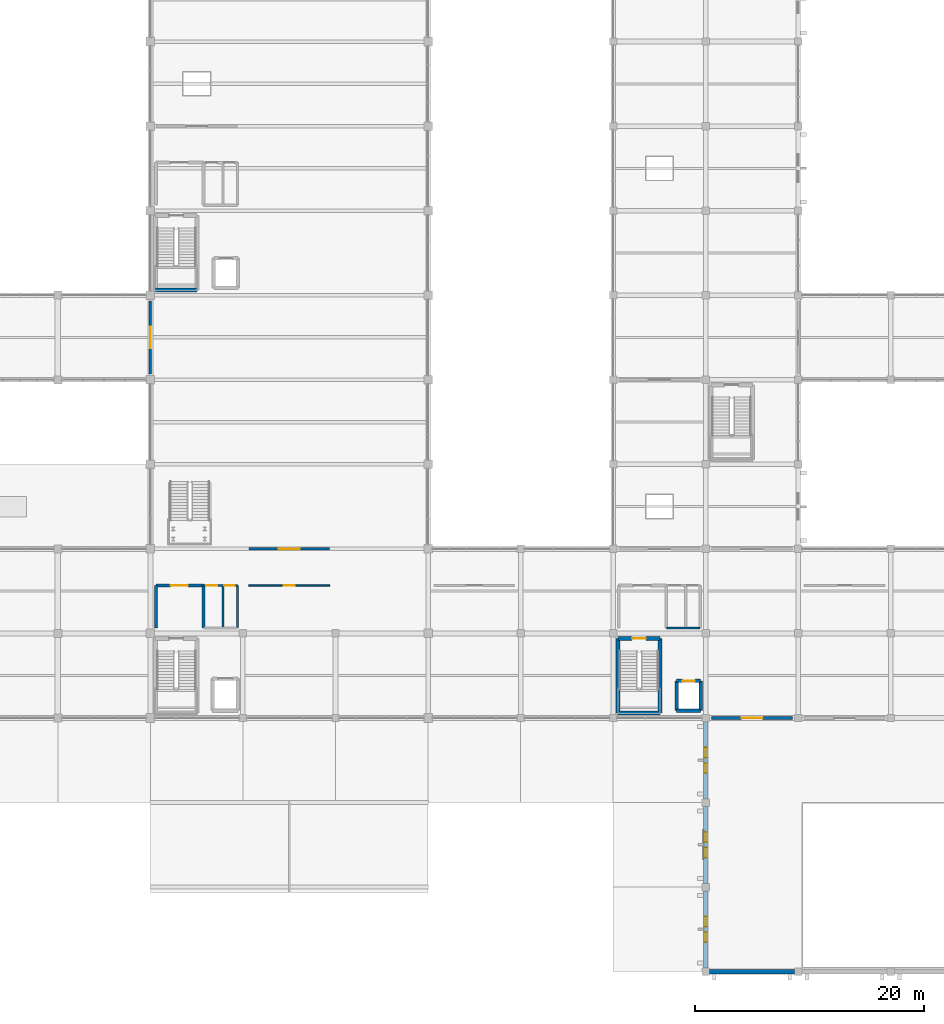
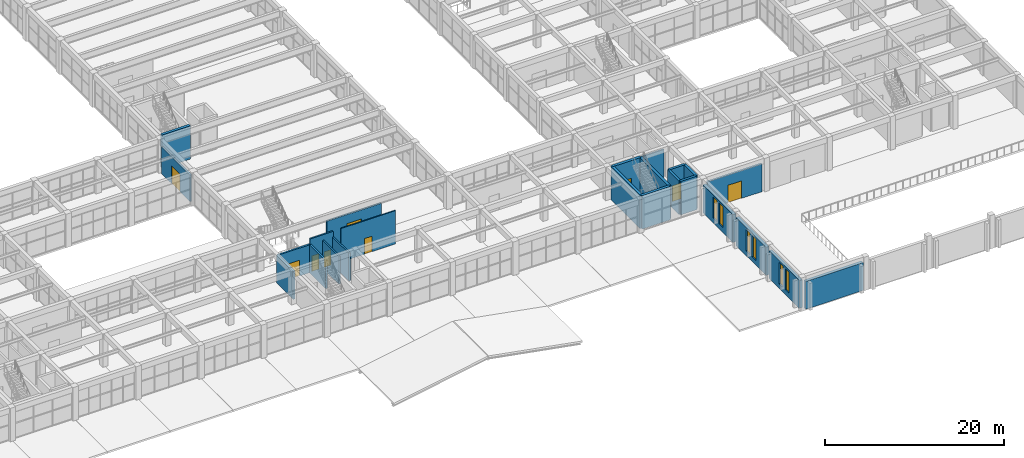
# One storey, part 147 of 161: 24 walls, 9 doors, 6 windows, 15 openings.
"""IFC4 building model written with IfcOpenShell, lengths in metres."""

from ifc_helpers import new_model, si_unit, direction, frame, frame_2d, origin, place, context, subcontext, project, spatial, rectangle, extrude, material, layer, layer_set, type_object, element, fill, save


model = new_model("IFC4")

# Units and contexts
model_context = context("Model", 3, precision=1e-05, world=origin(), true_north=direction((0.0, 1.0)))
body_context = subcontext(model_context, "Body", "Model", "MODEL_VIEW")
ifc_project = project(units=[si_unit("LENGTHUNIT", "METRE"), si_unit("AREAUNIT", "SQUARE_METRE"), si_unit("VOLUMEUNIT", "CUBIC_METRE"), si_unit("PLANEANGLEUNIT", "RADIAN"), si_unit("MASSUNIT", "GRAM", prefix="KILO")], contexts=[model_context])

# Site, building, storey
site_placement = place(None, origin())
site = spatial("IfcSite", under=ifc_project, at=site_placement, CompositionType="ELEMENT")
building_placement = place(site_placement, origin())
building = spatial("IfcBuilding", under=site, at=building_placement, Name="Cimatlan Art Gallery", CompositionType="ELEMENT")
storey_placement = place(building_placement, frame((0.0, 0.0, 5.39990234375)))
storey = spatial("IfcBuildingStorey", under=building, at=storey_placement, Name="L01", CompositionType="ELEMENT", Elevation=5.39990234375)

# Walls
ifc_material_1 = material(Name="Concrete C40/50", Category="concrete")
ifc_layer_1 = layer(ifc_material_1, 0.31005859375)
ifc_layer_set_1 = layer_set([ifc_layer_1], Name="Concrete C40/50")
wall_type_1 = type_object("IfcWallType", Name="W-CORE-310", PredefinedType="SHEAR", material=ifc_layer_set_1)
wall_1_placement = place(storey_placement, frame((120.949951171875, 24.550048828125, 0.0), z_axis=(0.0, 0.0, 1.0), x_axis=(0.0, 1.0, 0.0)))
element("IfcWall", 1, at=wall_1_placement, inside=storey, type_object=wall_type_1, Name="WL-SHFT-C4-L01-LW", PredefinedType="SHEAR", context=body_context, shape_type="SweptSolid", body=[
    extrude(rectangle(XDim=2.599853515625, YDim=0.31005859375, at=frame_2d((1.2998046875, 0.0))), origin(), (0.0, 0.0, 1.0), 4.55517578125),
])
wall_2_placement = place(storey_placement, frame((120.949951171875, 24.550048828125, 0.0), z_axis=(0.0, 0.0, 1.0), x_axis=(1.0, 0.0, 0.0)))
element("IfcWall", 2, at=wall_2_placement, inside=storey, type_object=wall_type_1, Name="WL-SHFT-C4-L01-LS", PredefinedType="SHEAR", context=body_context, shape_type="SweptSolid", body=[
    extrude(rectangle(XDim=2.10009765625, YDim=0.31005859375, at=frame_2d((1.050048828125, 0.0))), origin(), (0.0, 0.0, 1.0), 4.55517578125),
])
wall_3_placement = place(storey_placement, frame((123.050048828125, 24.550048828125, 0.0), z_axis=(0.0, 0.0, 1.0), x_axis=(0.0, 1.0, 0.0)))
element("IfcWall", 3, at=wall_3_placement, inside=storey, type_object=wall_type_1, Name="WL-SHFT-C4-L01-LE", PredefinedType="SHEAR", context=body_context, shape_type="SweptSolid", body=[
    extrude(rectangle(XDim=2.599853515625, YDim=0.31005859375, at=frame_2d((1.2998046875, 0.0))), origin(), (0.0, 0.0, 1.0), 4.55517578125),
])

# Wall, opening, door
wall_4_placement = place(storey_placement, frame((120.949951171875, 27.14990234375, 0.0), z_axis=(0.0, 0.0, 1.0), x_axis=(1.0, 0.0, 0.0)))
wall_4 = element("IfcWall", 4, at=wall_4_placement, inside=storey, type_object=wall_type_1, Name="WL-SHFT-C4-L01-LN", PredefinedType="SHEAR", context=body_context, shape_type="SweptSolid", body=[
    extrude(rectangle(XDim=2.10009765625, YDim=0.31005859375, at=frame_2d((1.050048828125, 0.0))), origin(), (0.0, 0.0, 1.0), 4.55517578125),
])
opening_1_placement = place(wall_4_placement, frame((0.5, 0.0, 0.0)))
opening_1 = element("IfcOpeningElement", 5, at=opening_1_placement, cuts=wall_4, Name="Opening LD-C4-L01", PredefinedType="OPENING", context=body_context, shape_type="SweptSolid", body=[
    extrude(rectangle(XDim=1.10009765625, YDim=2.14990234375, at=frame_2d((0.550048828125, 1.074951171875))), frame((0.0, 0.1650390625, 0.0), z_axis=(0.0, -1.0, 0.0), x_axis=(1.0, 0.0, 0.0)), (0.0, 0.0, 1.0), 0.330078125),
])
ifc_material_2 = material(Name="Brushed bronze sliding lift landing door")
door_type_1 = type_object("IfcDoorType", Name="LD-PS-1100", OperationType="NOTDEFINED", PredefinedType="DOOR", material=ifc_material_2)
door_1_placement = place(opening_1_placement, origin())
door_1 = element("IfcDoor", 6, at=door_1_placement, inside=storey, type_object=door_type_1, Name="LD-PL-01-L01", OperationType="SLIDING_TO_LEFT", OverallHeight=2.14990234375, OverallWidth=1.10009765625, PredefinedType="DOOR", context=body_context, shape_type="SweptSolid", body=[
    extrude(rectangle(XDim=1.10009765625, YDim=2.14990234375, at=frame_2d((0.550048828125, 1.074951171875))), frame((0.0, 0.02490234375, 0.0), z_axis=(0.0, -1.0, 0.0), x_axis=(1.0, 0.0, 0.0)), (0.0, 0.0, 1.0), 0.050048828125),
])
fill(opening_1, door_1)

# Walls
ifc_layer_2 = layer(ifc_material_1, 0.35009765625)
ifc_layer_set_2 = layer_set([ifc_layer_2], Name="Concrete C40/50")
wall_type_2 = type_object("IfcWallType", Name="W-CORE-350", PredefinedType="SHEAR", material=ifc_layer_set_2)
wall_5_placement = place(storey_placement, frame((115.840087890625, 24.340087890625, 0.0), z_axis=(0.0, 0.0, 1.0), x_axis=(0.0, 1.0, 0.0)))
element("IfcWall", 7, at=wall_5_placement, inside=storey, type_object=wall_type_2, Name="WL-CORE-C4-L01-SW", PredefinedType="SHEAR", context=body_context, shape_type="SweptSolid", body=[
    extrude(rectangle(XDim=6.52001953125, YDim=0.35009765625, at=frame_2d((3.260009765625, 0.0))), origin(), (0.0, 0.0, 1.0), 4.55517578125),
])
wall_6_placement = place(storey_placement, frame((115.840087890625, 24.340087890625, 0.0), z_axis=(0.0, 0.0, 1.0), x_axis=(1.0, 0.0, 0.0)))
element("IfcWall", 8, at=wall_6_placement, inside=storey, type_object=wall_type_2, Name="WL-CORE-C4-L01-SS", PredefinedType="SHEAR", context=body_context, shape_type="SweptSolid", body=[
    extrude(rectangle(XDim=3.639892578125, YDim=0.35009765625, at=frame_2d((1.81982421875, 0.0))), origin(), (0.0, 0.0, 1.0), 4.55517578125),
])
wall_7_placement = place(storey_placement, frame((119.47998046875, 24.340087890625, 0.0), z_axis=(0.0, 0.0, 1.0), x_axis=(0.0, 1.0, 0.0)))
element("IfcWall", 9, at=wall_7_placement, inside=storey, type_object=wall_type_2, Name="WL-CORE-C4-L01-SE", PredefinedType="SHEAR", context=body_context, shape_type="SweptSolid", body=[
    extrude(rectangle(XDim=6.52001953125, YDim=0.35009765625, at=frame_2d((3.260009765625, 0.0))), origin(), (0.0, 0.0, 1.0), 4.55517578125),
])

# Wall, opening, door
wall_8_placement = place(storey_placement, frame((115.840087890625, 30.860107421875, 0.0), z_axis=(0.0, 0.0, 1.0), x_axis=(1.0, 0.0, 0.0)))
wall_8 = element("IfcWall", 10, at=wall_8_placement, inside=storey, type_object=wall_type_2, Name="WL-CORE-C4-L01-SN", PredefinedType="SHEAR", context=body_context, shape_type="SweptSolid", body=[
    extrude(rectangle(XDim=3.639892578125, YDim=0.35009765625, at=frame_2d((1.81982421875, 0.0))), origin(), (0.0, 0.0, 1.0), 4.55517578125),
])
opening_2_placement = place(wall_8_placement, frame((1.219970703125, 0.0, 0.0)))
opening_2 = element("IfcOpeningElement", 11, at=opening_2_placement, cuts=wall_8, Name="Opening FD-C4-L01", PredefinedType="OPENING", context=body_context, shape_type="SweptSolid", body=[
    extrude(rectangle(XDim=1.199951171875, YDim=2.14990234375, at=frame_2d((0.60009765625, 1.074951171875))), frame((0.0, 0.18505859375, 0.0), z_axis=(0.0, -1.0, 0.0), x_axis=(1.0, 0.0, 0.0)), (0.0, 0.0, 1.0), 0.3701171875),
])
ifc_material_3 = material(Name="Fire-resisting steel acoustic stair door", Category="steel")
door_type_2 = type_object("IfcDoorType", Name="FD-ST-1200", OperationType="NOTDEFINED", PredefinedType="DOOR", material=ifc_material_3)
door_2_placement = place(opening_2_placement, origin())
door_2 = element("IfcDoor", 12, at=door_2_placement, inside=storey, type_object=door_type_2, Name="DR-C4-L01-ST", OperationType="SINGLE_SWING_LEFT", OverallHeight=2.14990234375, OverallWidth=1.199951171875, PredefinedType="DOOR", context=body_context, shape_type="SweptSolid", body=[
    extrude(rectangle(XDim=1.199951171875, YDim=2.14990234375, at=frame_2d((0.60009765625, 1.074951171875))), frame((0.0, 0.02490234375, 0.0), z_axis=(0.0, -1.0, 0.0), x_axis=(1.0, 0.0, 0.0)), (0.0, 0.0, 1.0), 0.050048828125),
])
fill(opening_2, door_2)

# Wall
wall_9_placement = place(storey_placement, frame((75.340087890625, 61.340087890625, 0.0), z_axis=(0.0, 0.0, 1.0), x_axis=(1.0, 0.0, 0.0)))
element("IfcWall", 13, at=wall_9_placement, inside=storey, type_object=wall_type_2, Name="WL-CORE-C6-L01-SS", PredefinedType="SHEAR", context=body_context, shape_type="SweptSolid", body=[
    extrude(rectangle(XDim=3.639892578125, YDim=0.35009765625, at=frame_2d((1.81982421875, 0.0))), origin(), (0.0, 0.0, 1.0), 4.55517578125),
])

# Wall, opening, door
ifc_material_4 = material(Name="Precast concrete C40/50", Category="concrete")
ifc_layer_3 = layer(ifc_material_4, 0.2451171875)
ifc_layer_set_3 = layer_set([ifc_layer_3], Name="Precast concrete C40/50")
wall_type_3 = type_object("IfcWallType", Name="W-FFL-245", PredefinedType="PARTITIONING", material=ifc_layer_set_3)
wall_10_placement = place(storey_placement, frame((75.3798828125, 35.5, 0.0), z_axis=(0.0, 0.0, 1.0), x_axis=(1.0, 0.0, 0.0)))
wall_10 = element("IfcWall", 14, at=wall_10_placement, inside=storey, type_object=wall_type_3, Name="WL-LOB-C3-L01-N", PredefinedType="PARTITIONING", context=body_context, shape_type="SweptSolid", body=[
    extrude(rectangle(XDim=4.170166015625, YDim=0.2451171875, at=frame_2d((2.0849609375, 0.0))), origin(), (0.0, 0.0, 1.0), 3.800048828125),
])
opening_3_placement = place(wall_10_placement, frame((1.300048828125, 0.0, 0.0)))
opening_3 = element("IfcOpeningElement", 15, at=opening_3_placement, cuts=wall_10, Name="Opening FDL-C3-L01", PredefinedType="OPENING", context=body_context, shape_type="SweptSolid", body=[
    extrude(rectangle(XDim=1.5, YDim=2.14990234375, at=frame_2d((0.75, 1.074951171875))), frame((0.0, 0.132568359375, 0.0), z_axis=(0.0, -1.0, 0.0), x_axis=(1.0, 0.0, 0.0)), (0.0, 0.0, 1.0), 0.26513671875),
])
ifc_material_5 = material(Name="Fire-resisting double-seal lobby door")
door_type_3 = type_object("IfcDoorType", Name="FD-LB-1500", OperationType="NOTDEFINED", PredefinedType="DOOR", material=ifc_material_5)
door_3_placement = place(opening_3_placement, origin())
door_3 = element("IfcDoor", 16, at=door_3_placement, inside=storey, type_object=door_type_3, Name="DR-LOB-C3-L01", OperationType="SINGLE_SWING_RIGHT", OverallHeight=2.14990234375, OverallWidth=1.5, PredefinedType="DOOR", context=body_context, shape_type="SweptSolid", body=[
    extrude(rectangle(XDim=1.5, YDim=2.14990234375, at=frame_2d((0.75, 1.074951171875))), frame((0.0, 0.02490234375, 0.0), z_axis=(0.0, -1.0, 0.0), x_axis=(1.0, 0.0, 0.0)), (0.0, 0.0, 1.0), 0.050048828125),
])
fill(opening_3, door_3)

# Walls
for number, where, z_axis, x_axis, name in (
    (17, (75.3798828125, 31.780029296875, 0.0), (0.0, 0.0, 1.0), (0.0, 1.0, 0.0), "WL-LOB-C3-L01-W"),
    (18, (79.550048828125, 31.780029296875, 0.0), (0.0, 0.0, 1.0), (0.0, 1.0, 0.0), "WL-LOB-C3-L01-M"),
):
    element("IfcWall", number, at=place(storey_placement, frame(where, z_axis=z_axis, x_axis=x_axis)), inside=storey, type_object=wall_type_3, Name=name, PredefinedType="PARTITIONING", context=body_context, shape_type="SweptSolid", body=[
        extrude(rectangle(XDim=3.719970703125, YDim=0.2451171875, at=frame_2d((1.85986328125, 0.0))), origin(), (0.0, 0.0, 1.0), 3.800048828125),
    ])

# Wall, opening, door
ifc_material_6 = material(Name="Acoustic gypsum and steel stud partition", Category="steel")
ifc_layer_4 = layer(ifc_material_6, 0.22509765625)
ifc_layer_set_4 = layer_set([ifc_layer_4], Name="Acoustic gypsum and steel stud partition")
wall_type_4 = type_object("IfcWallType", Name="W-GAL-225", PredefinedType="PARTITIONING", material=ifc_layer_set_4)
wall_11_placement = place(storey_placement, frame((83.52001953125, 38.699951171875, 0.0), z_axis=(0.0, 0.0, 1.0), x_axis=(1.0, 0.0, 0.0)))
wall_11 = element("IfcWall", 19, at=wall_11_placement, inside=storey, type_object=wall_type_4, Name="WL-RM-L01-GAL-C1", PredefinedType="PARTITIONING", context=body_context, shape_type="SweptSolid", body=[
    extrude(rectangle(XDim=7.06005859375, YDim=0.22509765625, at=frame_2d((3.530029296875, 0.0))), origin(), (0.0, 0.0, 1.0), 3.627197265625),
])
opening_4_placement = place(wall_11_placement, frame((2.60498046875, 0.0, 0.0)))
opening_4 = element("IfcOpeningElement", 20, at=opening_4_placement, cuts=wall_11, Name="Opening DI-0206", PredefinedType="OPENING", context=body_context, shape_type="SweptSolid", body=[
    extrude(rectangle(XDim=1.85009765625, YDim=2.39990234375, at=frame_2d((0.925048828125, 1.199951171875))), frame((0.0, 0.12255859375, 0.0), z_axis=(0.0, -1.0, 0.0), x_axis=(1.0, 0.0, 0.0)), (0.0, 0.0, 1.0), 0.2451171875),
])
ifc_material_7 = material(Name="European oak gallery portal door")
door_type_4 = type_object("IfcDoorType", Name="DI-GL-1850", OperationType="NOTDEFINED", PredefinedType="DOOR", material=ifc_material_7)
door_4_placement = place(opening_4_placement, origin())
door_4 = element("IfcDoor", 21, at=door_4_placement, inside=storey, type_object=door_type_4, Name="DR-RM-L01-GAL-C1", OperationType="SINGLE_SWING_RIGHT", OverallHeight=2.39990234375, OverallWidth=1.85009765625, PredefinedType="DOOR", context=body_context, shape_type="SweptSolid", body=[
    extrude(rectangle(XDim=1.85009765625, YDim=2.39990234375, at=frame_2d((0.925048828125, 1.199951171875))), frame((0.0, 0.02490234375, 0.0), z_axis=(0.0, -1.0, 0.0), x_axis=(1.0, 0.0, 0.0)), (0.0, 0.0, 1.0), 0.050048828125),
])
fill(opening_4, door_4)

wall_12_placement = place(storey_placement, frame((74.89990234375, 54.02001953125, 0.0), z_axis=(0.0, 0.0, 1.0), x_axis=(0.0, 1.0, 0.0)))
wall_12 = element("IfcWall", 22, at=wall_12_placement, inside=storey, type_object=wall_type_4, Name="WL-RM-L01-GAL-CW", PredefinedType="PARTITIONING", context=body_context, shape_type="SweptSolid", body=[
    extrude(rectangle(XDim=6.35986328125, YDim=0.22509765625, at=frame_2d((3.179931640625, 0.0))), origin(), (0.0, 0.0, 1.0), 3.627197265625),
])
opening_5_placement = place(wall_12_placement, frame((2.2548828125, 0.0, 0.0)))
opening_5 = element("IfcOpeningElement", 23, at=opening_5_placement, cuts=wall_12, Name="Opening DI-0207", PredefinedType="OPENING", context=body_context, shape_type="SweptSolid", body=[
    extrude(rectangle(XDim=1.85009765625, YDim=2.39990234375, at=frame_2d((0.925048828125, 1.199951171875))), frame((0.0, 0.12255859375, 0.0), z_axis=(0.0, -1.0, 0.0), x_axis=(1.0, 0.0, 0.0)), (0.0, 0.0, 1.0), 0.2451171875),
])
door_5_placement = place(opening_5_placement, origin())
door_5 = element("IfcDoor", 24, at=door_5_placement, inside=storey, type_object=door_type_4, Name="DR-RM-L01-GAL-CW", OperationType="SINGLE_SWING_LEFT", OverallHeight=2.39990234375, OverallWidth=1.85009765625, PredefinedType="DOOR", context=body_context, shape_type="SweptSolid", body=[
    extrude(rectangle(XDim=1.85009765625, YDim=2.39990234375, at=frame_2d((0.925048828125, 1.199951171875))), frame((0.0, 0.02490234375, 0.0), z_axis=(0.0, -1.0, 0.0), x_axis=(1.0, 0.0, 0.0)), (0.0, 0.0, 1.0), 0.050048828125),
])
fill(opening_5, door_5)

wall_13_placement = place(storey_placement, frame((124.02001953125, 23.89990234375, 0.0), z_axis=(0.0, 0.0, 1.0), x_axis=(1.0, 0.0, 0.0)))
wall_13 = element("IfcWall", 25, at=wall_13_placement, inside=storey, type_object=wall_type_4, Name="WL-RM-L01-AUD-PRJ", PredefinedType="PARTITIONING", context=body_context, shape_type="SweptSolid", body=[
    extrude(rectangle(XDim=7.06005859375, YDim=0.22509765625, at=frame_2d((3.530029296875, 0.0))), origin(), (0.0, 0.0, 1.0), 3.800048828125),
])
opening_6_placement = place(wall_13_placement, frame((2.6298828125, 0.0, 0.0)))
opening_6 = element("IfcOpeningElement", 26, at=opening_6_placement, cuts=wall_13, Name="Opening DI-0211", PredefinedType="OPENING", context=body_context, shape_type="SweptSolid", body=[
    extrude(rectangle(XDim=1.800048828125, YDim=2.39990234375, at=frame_2d((0.89990234375, 1.199951171875))), frame((0.0, 0.12255859375, 0.0), z_axis=(0.0, -1.0, 0.0), x_axis=(1.0, 0.0, 0.0)), (0.0, 0.0, 1.0), 0.2451171875),
])
ifc_material_8 = material(Name="Acoustic timber auditorium door", Category="wood")
door_type_5 = type_object("IfcDoorType", Name="DI-AU-1800", OperationType="NOTDEFINED", PredefinedType="DOOR", material=ifc_material_8)
door_6_placement = place(opening_6_placement, origin())
door_6 = element("IfcDoor", 27, at=door_6_placement, inside=storey, type_object=door_type_5, Name="DR-RM-L01-AUD-PRJ", OperationType="SINGLE_SWING_LEFT", OverallHeight=2.39990234375, OverallWidth=1.800048828125, PredefinedType="DOOR", context=body_context, shape_type="SweptSolid", body=[
    extrude(rectangle(XDim=1.800048828125, YDim=2.39990234375, at=frame_2d((0.89990234375, 1.199951171875))), frame((0.0, 0.02490234375, 0.0), z_axis=(0.0, -1.0, 0.0), x_axis=(1.0, 0.0, 0.0)), (0.0, 0.0, 1.0), 0.050048828125),
])
fill(opening_6, door_6)

ifc_material_9 = material(Name="Fire-rated gypsum board and steel stud partition", Category="steel")
ifc_layer_5 = layer(ifc_material_9, 0.139892578125)
ifc_layer_set_5 = layer_set([ifc_layer_5], Name="Fire-rated gypsum board and steel stud partition")
wall_type_5 = type_object("IfcWallType", Name="W-OFF-140", PredefinedType="PARTITIONING", material=ifc_layer_set_5)
wall_14_placement = place(storey_placement, frame((83.52001953125, 35.5, 0.0), z_axis=(0.0, 0.0, 1.0), x_axis=(1.0, 0.0, 0.0)))
wall_14 = element("IfcWall", 28, at=wall_14_placement, inside=storey, type_object=wall_type_5, Name="WL-RM-L01-CUR-01", PredefinedType="PARTITIONING", context=body_context, shape_type="SweptSolid", body=[
    extrude(rectangle(XDim=7.06005859375, YDim=0.139892578125, at=frame_2d((3.530029296875, 0.0))), origin(), (0.0, 0.0, 1.0), 4.545166015625),
])
opening_7_placement = place(wall_14_placement, frame((3.030029296875, 0.0, 0.0)))
opening_7 = element("IfcOpeningElement", 29, at=opening_7_placement, cuts=wall_14, Name="Opening DI-0209", PredefinedType="OPENING", context=body_context, shape_type="SweptSolid", body=[
    extrude(rectangle(XDim=1.0, YDim=2.1201171875, at=frame_2d((0.5, 1.06005859375))), frame((0.0, 0.080078125, 0.0), z_axis=(0.0, -1.0, 0.0), x_axis=(1.0, 0.0, 0.0)), (0.0, 0.0, 1.0), 0.159912109375),
])
ifc_material_10 = material(Name="Timber curatorial office door", Category="wood")
door_type_6 = type_object("IfcDoorType", Name="DI-OF-1000", OperationType="NOTDEFINED", PredefinedType="DOOR", material=ifc_material_10)
door_7_placement = place(opening_7_placement, origin())
door_7 = element("IfcDoor", 30, at=door_7_placement, inside=storey, type_object=door_type_6, Name="DR-RM-L01-CUR-01", OperationType="SINGLE_SWING_LEFT", OverallHeight=2.1201171875, OverallWidth=1.0, PredefinedType="DOOR", context=body_context, shape_type="SweptSolid", body=[
    extrude(rectangle(XDim=1.0, YDim=2.1201171875, at=frame_2d((0.5, 1.06005859375))), frame((0.0, 0.02490234375, 0.0), z_axis=(0.0, -1.0, 0.0), x_axis=(1.0, 0.0, 0.0)), (0.0, 0.0, 1.0), 0.050048828125),
])
fill(opening_7, door_7)

# Walls
ifc_material_11 = material(Name="Moisture-resistant fire-rated plumbing wall")
ifc_layer_6 = layer(ifc_material_11, 0.195068359375)
ifc_layer_set_6 = layer_set([ifc_layer_6], Name="Moisture-resistant fire-rated plumbing wall")
wall_type_6 = type_object("IfcWallType", Name="W-PLM-195", PredefinedType="PARTITIONING", material=ifc_layer_set_6)
for number, where, z_axis, x_axis, name in (
    (31, (81.25, 31.780029296875, 0.0), (0.0, 0.0, 1.0), (0.0, 1.0, 0.0), "WL-LOB-C3-L01-D"),
    (32, (82.52001953125, 31.780029296875, 0.0), (0.0, 0.0, 1.0), (0.0, 1.0, 0.0), "WL-LOB-C3-L01-E"),
):
    element("IfcWall", number, at=place(storey_placement, frame(where, z_axis=z_axis, x_axis=x_axis)), inside=storey, type_object=wall_type_6, Name=name, PredefinedType="PARTITIONING", context=body_context, shape_type="SweptSolid", body=[
        extrude(rectangle(XDim=3.719970703125, YDim=0.195068359375, at=frame_2d((1.85986328125, 0.0))), origin(), (0.0, 0.0, 1.0), 3.800048828125),
    ])

# Wall, openings, doors
wall_15_placement = place(storey_placement, frame((79.550048828125, 35.5, 0.0), z_axis=(0.0, 0.0, 1.0), x_axis=(1.0, 0.0, 0.0)))
wall_15 = element("IfcWall", 33, at=wall_15_placement, inside=storey, type_object=wall_type_6, Name="WL-WC-C3-L01-N", PredefinedType="PARTITIONING", context=body_context, shape_type="SweptSolid", body=[
    extrude(rectangle(XDim=2.969970703125, YDim=0.195068359375, at=frame_2d((1.48486328125, 0.0))), origin(), (0.0, 0.0, 1.0), 4.545166015625),
])
opening_8_placement = place(wall_15_placement, frame((0.25, 0.0, 0.0)))
opening_8 = element("IfcOpeningElement", 34, at=opening_8_placement, cuts=wall_15, Name="Opening DWC-C3A-L01", PredefinedType="OPENING", context=body_context, shape_type="SweptSolid", body=[
    extrude(rectangle(XDim=0.949951171875, YDim=2.10009765625, at=frame_2d((0.47509765625, 1.050048828125))), frame((0.0, 0.107421875, 0.0), z_axis=(0.0, -1.0, 0.0), x_axis=(1.0, 0.0, 0.0)), (0.0, 0.0, 1.0), 0.215087890625),
])
opening_9_placement = place(wall_15_placement, frame((1.820068359375, 0.0, 0.0)))
opening_9 = element("IfcOpeningElement", 35, at=opening_9_placement, cuts=wall_15, Name="Opening DWC-C3B-L01", PredefinedType="OPENING", context=body_context, shape_type="SweptSolid", body=[
    extrude(rectangle(XDim=0.89990234375, YDim=2.10009765625, at=frame_2d((0.449951171875, 1.050048828125))), frame((0.0, 0.107421875, 0.0), z_axis=(0.0, -1.0, 0.0), x_axis=(1.0, 0.0, 0.0)), (0.0, 0.0, 1.0), 0.215087890625),
])
ifc_material_12 = material(Name="Sanitary room door")
door_type_7 = type_object("IfcDoorType", Name="DI-WC-0900", OperationType="NOTDEFINED", PredefinedType="DOOR", material=ifc_material_12)
door_8_placement = place(opening_9_placement, origin())
door_8 = element("IfcDoor", 36, at=door_8_placement, inside=storey, type_object=door_type_7, Name="DR-PWC-C3-L01", OperationType="SINGLE_SWING_RIGHT", OverallHeight=2.10009765625, OverallWidth=0.89990234375, PredefinedType="DOOR", context=body_context, shape_type="SweptSolid", body=[
    extrude(rectangle(XDim=0.89990234375, YDim=2.10009765625, at=frame_2d((0.449951171875, 1.050048828125))), frame((0.0, 0.02490234375, 0.0), z_axis=(0.0, -1.0, 0.0), x_axis=(1.0, 0.0, 0.0)), (0.0, 0.0, 1.0), 0.050048828125),
])
fill(opening_9, door_8)
ifc_material_13 = material(Name="Accessible sanitary room door")
door_type_8 = type_object("IfcDoorType", Name="DI-WC-0950", OperationType="NOTDEFINED", PredefinedType="DOOR", material=ifc_material_13)
door_9_placement = place(opening_8_placement, origin())
door_9 = element("IfcDoor", 37, at=door_9_placement, inside=storey, type_object=door_type_8, Name="DR-AWC-C3-L01", OperationType="SINGLE_SWING_LEFT", OverallHeight=2.10009765625, OverallWidth=0.949951171875, PredefinedType="DOOR", context=body_context, shape_type="SweptSolid", body=[
    extrude(rectangle(XDim=0.949951171875, YDim=2.10009765625, at=frame_2d((0.47509765625, 1.050048828125))), frame((0.0, 0.02490234375, 0.0), z_axis=(0.0, -1.0, 0.0), x_axis=(1.0, 0.0, 0.0)), (0.0, 0.0, 1.0), 0.050048828125),
])
fill(opening_8, door_9)

# Walls
wall_16_placement = place(storey_placement, frame((120.050048828125, 31.780029296875, 0.0), z_axis=(0.0, 0.0, 1.0), x_axis=(1.0, 0.0, 0.0)))
element("IfcWall", 38, at=wall_16_placement, inside=storey, type_object=wall_type_6, Name="WL-LOB-C4-L01-S", PredefinedType="PARTITIONING", context=body_context, shape_type="SweptSolid", body=[
    extrude(rectangle(XDim=2.969970703125, YDim=0.195068359375, at=frame_2d((1.48486328125, 0.0))), origin(), (0.0, 0.0, 1.0), 3.800048828125),
])
ifc_layer_7 = layer(ifc_material_4, 0.385009765625)
ifc_layer_set_7 = layer_set([ifc_layer_7], Name="Precast concrete C40/50")
wall_type_7 = type_object("IfcWallType", Name="WL-EXT-AUD-385", PredefinedType="SOLIDWALL", material=ifc_layer_set_7)
wall_17_placement = place(storey_placement, frame((131.27099609375, 1.699951171875, 0.0), z_axis=(0.0, 0.0, 1.0), x_axis=(-1.0, 0.0, 0.0)))
element("IfcWall", 39, at=wall_17_placement, inside=storey, type_object=wall_type_7, Name="WL-EXT-L01-15-00-S", PredefinedType="SOLIDWALL", context=body_context, shape_type="SweptSolid", body=[
    extrude(rectangle(XDim=7.44189453125, YDim=0.385009765625, at=frame_2d((3.720947265625, 0.0))), origin(), (0.0, 0.0, 1.0), 3.795166015625),
])

# Wall, openings, windows
wall_18_placement = place(storey_placement, frame((123.5, 2.029052734375, 0.0), z_axis=(0.0, 0.0, 1.0), x_axis=(0.0, 1.0, 0.0)))
wall_18 = element("IfcWall", 40, at=wall_18_placement, inside=storey, type_object=wall_type_7, Name="WL-EXT-L01-15-00-W", PredefinedType="SOLIDWALL", context=body_context, shape_type="SweptSolid", body=[
    extrude(rectangle(XDim=6.741943359375, YDim=0.385009765625, at=frame_2d((3.37109375, 0.0))), origin(), (0.0, 0.0, 1.0), 3.795166015625),
])
opening_10_placement = place(wall_18_placement, frame((2.2509765625, 0.0, 0.64990234375)))
opening_10 = element("IfcOpeningElement", 41, at=opening_10_placement, cuts=wall_18, Name="Opening WN-0105", PredefinedType="OPENING", context=body_context, shape_type="SweptSolid", body=[
    extrude(rectangle(XDim=0.8798828125, YDim=2.89990234375, at=frame_2d((0.43994140625, 1.449951171875))), frame((0.0, 0.20263671875, 0.0), z_axis=(0.0, -1.0, 0.0), x_axis=(1.0, 0.0, 0.0)), (0.0, 0.0, 1.0), 0.405029296875),
])
opening_11_placement = place(wall_18_placement, frame((3.611083984375, 0.0, 0.64990234375)))
opening_11 = element("IfcOpeningElement", 42, at=opening_11_placement, cuts=wall_18, Name="Opening WN-0106", PredefinedType="OPENING", context=body_context, shape_type="SweptSolid", body=[
    extrude(rectangle(XDim=0.8798828125, YDim=2.89990234375, at=frame_2d((0.43994140625, 1.449951171875))), frame((0.0, 0.20263671875, 0.0), z_axis=(0.0, -1.0, 0.0), x_axis=(1.0, 0.0, 0.0)), (0.0, 0.0, 1.0), 0.405029296875),
])
ifc_material_14 = material(Name="Low-E laminated double glazing in bronze lancet frame", Category="glass")
window_type = type_object("IfcWindowType", Name="WIN-W-L01-0880X2900", PartitioningType="SINGLE_PANEL", PredefinedType="WINDOW", material=ifc_material_14)
window_1_placement = place(opening_10_placement, origin())
window_1 = element("IfcWindow", 43, at=window_1_placement, inside=storey, type_object=window_type, Name="WIN-0105", OverallHeight=2.89990234375, OverallWidth=0.8798828125, PartitioningType="SINGLE_PANEL", PredefinedType="WINDOW", context=body_context, shape_type="SweptSolid", body=[
    extrude(rectangle(XDim=0.8798828125, YDim=2.89990234375, at=frame_2d((0.43994140625, 1.449951171875))), frame((0.0, 0.030029296875, 0.0), z_axis=(0.0, -1.0, 0.0), x_axis=(1.0, 0.0, 0.0)), (0.0, 0.0, 1.0), 0.06005859375),
])
fill(opening_10, window_1)
window_2_placement = place(opening_11_placement, origin())
window_2 = element("IfcWindow", 44, at=window_2_placement, inside=storey, type_object=window_type, Name="WIN-0106", OverallHeight=2.89990234375, OverallWidth=0.8798828125, PartitioningType="SINGLE_PANEL", PredefinedType="WINDOW", context=body_context, shape_type="SweptSolid", body=[
    extrude(rectangle(XDim=0.8798828125, YDim=2.89990234375, at=frame_2d((0.43994140625, 1.449951171875))), frame((0.0, 0.030029296875, 0.0), z_axis=(0.0, -1.0, 0.0), x_axis=(1.0, 0.0, 0.0)), (0.0, 0.0, 1.0), 0.06005859375),
])
fill(opening_11, window_2)

wall_19_placement = place(storey_placement, frame((123.5, 9.428955078125, 0.0), z_axis=(0.0, 0.0, 1.0), x_axis=(0.0, 1.0, 0.0)))
wall_19 = element("IfcWall", 45, at=wall_19_placement, inside=storey, type_object=wall_type_7, Name="WL-EXT-L01-15-01-W", PredefinedType="SOLIDWALL", context=body_context, shape_type="SweptSolid", body=[
    extrude(rectangle(XDim=6.741943359375, YDim=0.385009765625, at=frame_2d((3.37109375, 0.0))), origin(), (0.0, 0.0, 1.0), 3.84521484375),
])
opening_12_placement = place(wall_19_placement, frame((2.2509765625, 0.0, 0.64990234375)))
opening_12 = element("IfcOpeningElement", 46, at=opening_12_placement, cuts=wall_19, Name="Opening WN-0107", PredefinedType="OPENING", context=body_context, shape_type="SweptSolid", body=[
    extrude(rectangle(XDim=0.8798828125, YDim=2.89990234375, at=frame_2d((0.43994140625, 1.449951171875))), frame((0.0, 0.20263671875, 0.0), z_axis=(0.0, -1.0, 0.0), x_axis=(1.0, 0.0, 0.0)), (0.0, 0.0, 1.0), 0.405029296875),
])
opening_13_placement = place(wall_19_placement, frame((3.611083984375, 0.0, 0.64990234375)))
opening_13 = element("IfcOpeningElement", 47, at=opening_13_placement, cuts=wall_19, Name="Opening WN-0108", PredefinedType="OPENING", context=body_context, shape_type="SweptSolid", body=[
    extrude(rectangle(XDim=0.8798828125, YDim=2.89990234375, at=frame_2d((0.43994140625, 1.449951171875))), frame((0.0, 0.20263671875, 0.0), z_axis=(0.0, -1.0, 0.0), x_axis=(1.0, 0.0, 0.0)), (0.0, 0.0, 1.0), 0.405029296875),
])
window_3_placement = place(opening_12_placement, origin())
window_3 = element("IfcWindow", 48, at=window_3_placement, inside=storey, type_object=window_type, Name="WIN-0107", OverallHeight=2.89990234375, OverallWidth=0.8798828125, PartitioningType="SINGLE_PANEL", PredefinedType="WINDOW", context=body_context, shape_type="SweptSolid", body=[
    extrude(rectangle(XDim=0.8798828125, YDim=2.89990234375, at=frame_2d((0.43994140625, 1.449951171875))), frame((0.0, 0.030029296875, 0.0), z_axis=(0.0, -1.0, 0.0), x_axis=(1.0, 0.0, 0.0)), (0.0, 0.0, 1.0), 0.06005859375),
])
fill(opening_12, window_3)
window_4_placement = place(opening_13_placement, origin())
window_4 = element("IfcWindow", 49, at=window_4_placement, inside=storey, type_object=window_type, Name="WIN-0108", OverallHeight=2.89990234375, OverallWidth=0.8798828125, PartitioningType="SINGLE_PANEL", PredefinedType="WINDOW", context=body_context, shape_type="SweptSolid", body=[
    extrude(rectangle(XDim=0.8798828125, YDim=2.89990234375, at=frame_2d((0.43994140625, 1.449951171875))), frame((0.0, 0.030029296875, 0.0), z_axis=(0.0, -1.0, 0.0), x_axis=(1.0, 0.0, 0.0)), (0.0, 0.0, 1.0), 0.06005859375),
])
fill(opening_13, window_4)

wall_20_placement = place(storey_placement, frame((123.5, 16.8291015625, 0.0), z_axis=(0.0, 0.0, 1.0), x_axis=(0.0, 1.0, 0.0)))
wall_20 = element("IfcWall", 50, at=wall_20_placement, inside=storey, type_object=wall_type_7, Name="WL-EXT-L01-15-02-W", PredefinedType="SOLIDWALL", context=body_context, shape_type="SweptSolid", body=[
    extrude(rectangle(XDim=6.741943359375, YDim=0.385009765625, at=frame_2d((3.37109375, 0.0))), origin(), (0.0, 0.0, 1.0), 3.795166015625),
])
opening_14_placement = place(wall_20_placement, frame((2.2509765625, 0.0, 0.64990234375)))
opening_14 = element("IfcOpeningElement", 51, at=opening_14_placement, cuts=wall_20, Name="Opening WN-0109", PredefinedType="OPENING", context=body_context, shape_type="SweptSolid", body=[
    extrude(rectangle(XDim=0.8798828125, YDim=2.89990234375, at=frame_2d((0.43994140625, 1.449951171875))), frame((0.0, 0.20263671875, 0.0), z_axis=(0.0, -1.0, 0.0), x_axis=(1.0, 0.0, 0.0)), (0.0, 0.0, 1.0), 0.405029296875),
])
opening_15_placement = place(wall_20_placement, frame((3.611083984375, 0.0, 0.64990234375)))
opening_15 = element("IfcOpeningElement", 52, at=opening_15_placement, cuts=wall_20, Name="Opening WN-0110", PredefinedType="OPENING", context=body_context, shape_type="SweptSolid", body=[
    extrude(rectangle(XDim=0.8798828125, YDim=2.89990234375, at=frame_2d((0.43994140625, 1.449951171875))), frame((0.0, 0.20263671875, 0.0), z_axis=(0.0, -1.0, 0.0), x_axis=(1.0, 0.0, 0.0)), (0.0, 0.0, 1.0), 0.405029296875),
])
window_5_placement = place(opening_14_placement, origin())
window_5 = element("IfcWindow", 53, at=window_5_placement, inside=storey, type_object=window_type, Name="WIN-0109", OverallHeight=2.89990234375, OverallWidth=0.8798828125, PartitioningType="SINGLE_PANEL", PredefinedType="WINDOW", context=body_context, shape_type="SweptSolid", body=[
    extrude(rectangle(XDim=0.8798828125, YDim=2.89990234375, at=frame_2d((0.43994140625, 1.449951171875))), frame((0.0, 0.030029296875, 0.0), z_axis=(0.0, -1.0, 0.0), x_axis=(1.0, 0.0, 0.0)), (0.0, 0.0, 1.0), 0.06005859375),
])
fill(opening_14, window_5)
window_6_placement = place(opening_15_placement, origin())
window_6 = element("IfcWindow", 54, at=window_6_placement, inside=storey, type_object=window_type, Name="WIN-0110", OverallHeight=2.89990234375, OverallWidth=0.8798828125, PartitioningType="SINGLE_PANEL", PredefinedType="WINDOW", context=body_context, shape_type="SweptSolid", body=[
    extrude(rectangle(XDim=0.8798828125, YDim=2.89990234375, at=frame_2d((0.43994140625, 1.449951171875))), frame((0.0, 0.030029296875, 0.0), z_axis=(0.0, -1.0, 0.0), x_axis=(1.0, 0.0, 0.0)), (0.0, 0.0, 1.0), 0.06005859375),
])
fill(opening_15, window_6)

save(model, "model.ifc")
